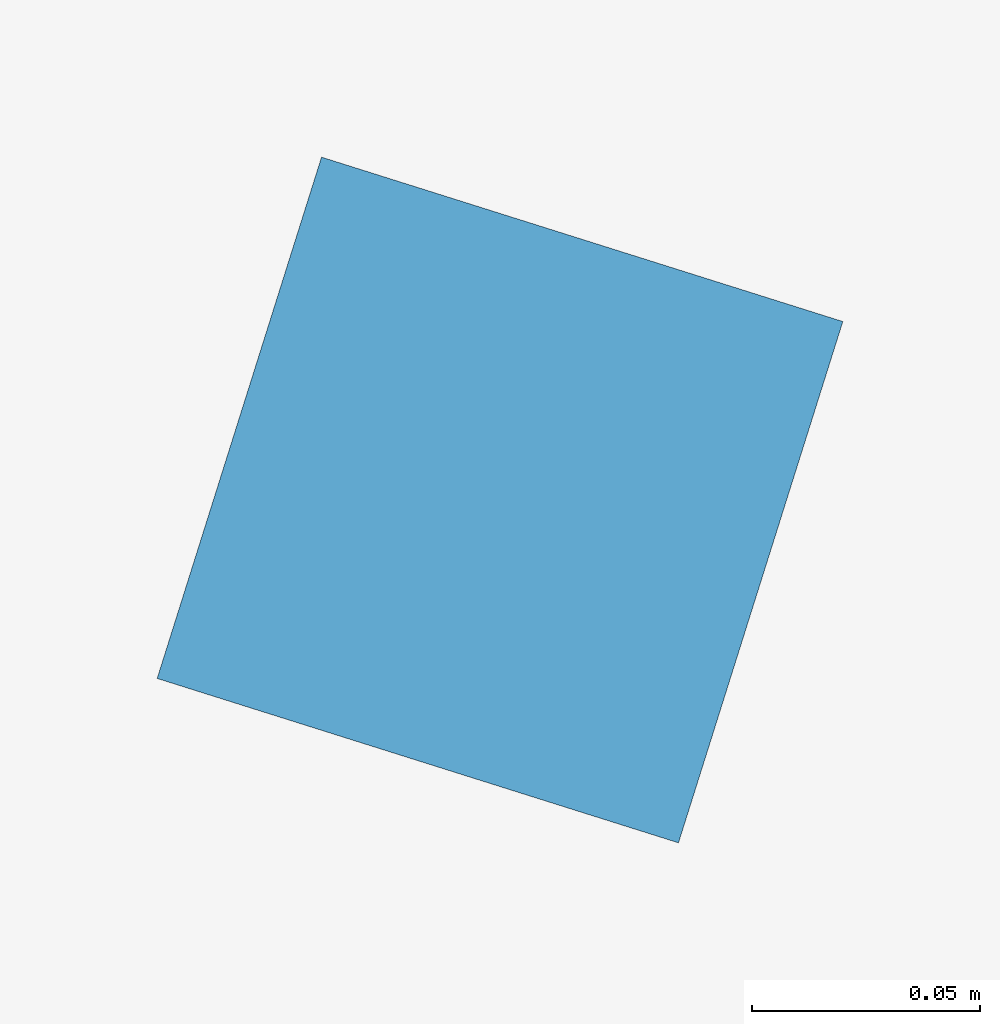
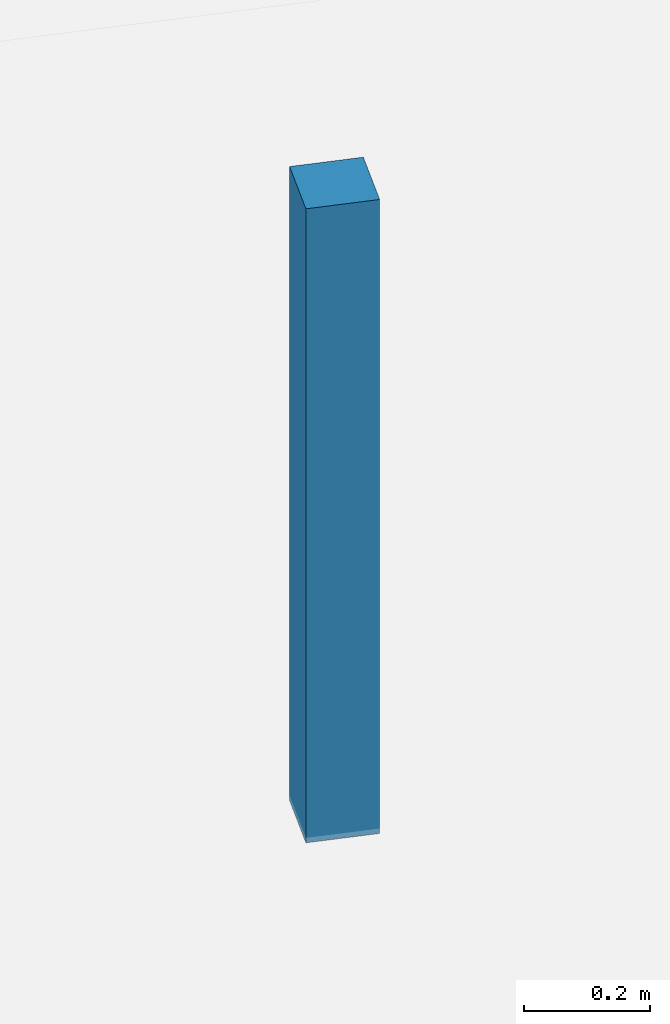
# One storey, part 23 of 28: 1 discrete accessory.
"""IFC4 building model written with IfcOpenShell, lengths in metres."""

from ifc_helpers import new_model, si_unit, direction, frame, origin, origin_2d, place, context, subcontext, project, spatial, rectangle, extrude, source, transform, mapped, material, type_object, element, save


model = new_model("IFC4")

# Units and contexts
model_context = context("Model", 3, precision=1e-05, world=origin(), true_north=direction((0.0, 1.0)))
body_context = subcontext(model_context, "Body", "Model", "MODEL_VIEW")
ifc_project = project(units=[si_unit("LENGTHUNIT", "METRE"), si_unit("AREAUNIT", "SQUARE_METRE"), si_unit("VOLUMEUNIT", "CUBIC_METRE"), si_unit("PLANEANGLEUNIT", "RADIAN"), si_unit("MASSUNIT", "GRAM", prefix="KILO")], contexts=[model_context])

# Site, building, storey
site_placement = place(None, origin())
site = spatial("IfcSite", under=ifc_project, at=site_placement, CompositionType="ELEMENT")
building_placement = place(site_placement, origin())
building = spatial("IfcBuilding", under=site, at=building_placement, Name="Torre Montelarca", CompositionType="ELEMENT")
storey_placement = place(building_placement, frame((0.0, 0.0, 112.60009765625)))
storey = spatial("IfcBuildingStorey", under=building, at=storey_placement, Name="L25", CompositionType="ELEMENT", Elevation=112.60009765625)

# Discrete accessory
ifc_material = material(Name="Galvanized steel suspension hanger", Category="steel")
discrete_accessory_type = type_object("IfcDiscreteAccessoryType", Name="ACC-CEIL-HNG", PredefinedType="BRACKET", material=ifc_material)
shared_shape = source(origin(), body_context, "Body", "SweptSolid", [
    extrude(rectangle(XDim=0.1201171875, YDim=0.1201171875, at=origin_2d()), origin(), (0.0, 0.0, 1.0), 1.22998046875),
])
discrete_accessory_placement = place(storey_placement, frame((32.837158203125, 33.038818359375, 2.75), z_axis=(0.0, 0.0, 1.0), x_axis=(-0.953716950748, 0.300705799504, 0.0)))
element("IfcDiscreteAccessory", 1, at=discrete_accessory_placement, inside=storey, type_object=discrete_accessory_type, Name="L25 Suspended Ceiling Hanger Bracket 01", PredefinedType="BRACKET", context=body_context, shape_type="MappedRepresentation", body=[
    mapped(shared_shape, transform((0.0, 0.0, 0.0), scale=1.0)),
])

save(model, "model.ifc")
